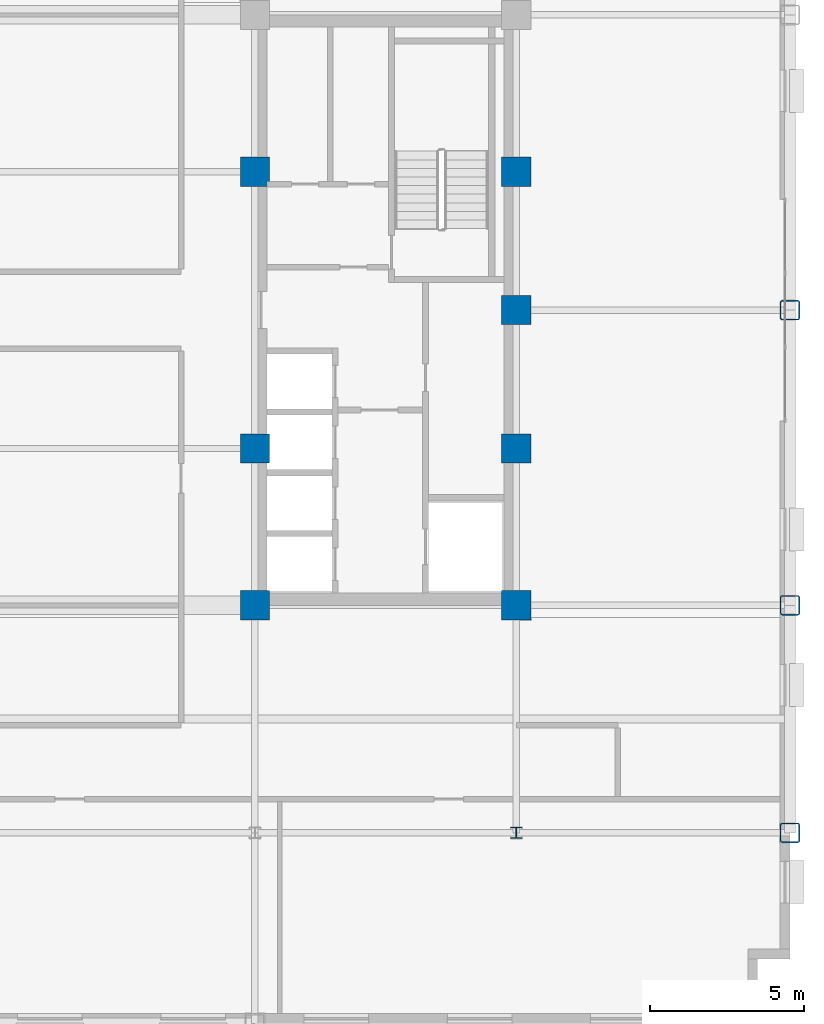
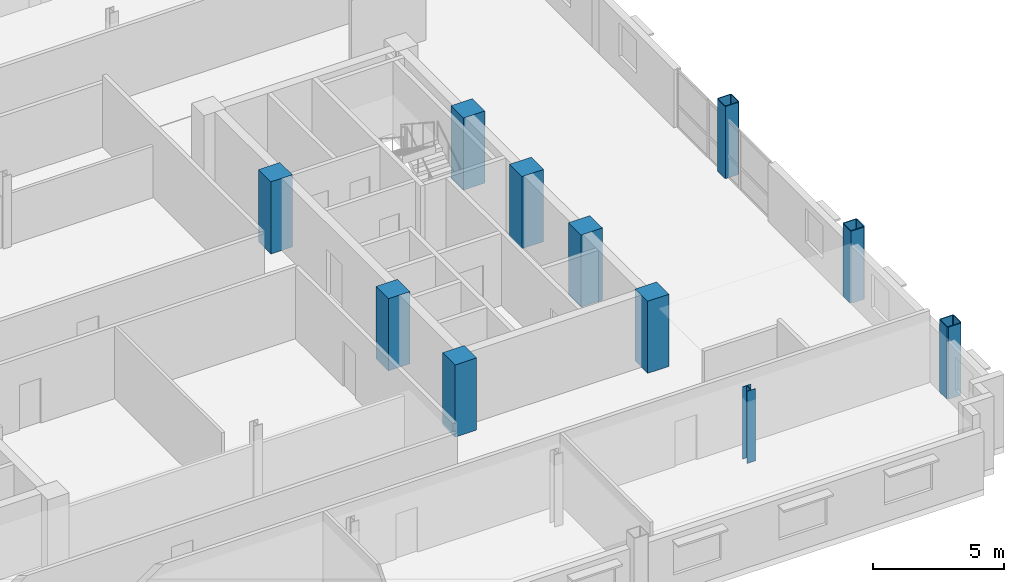
# One storey, part 2 of 15: 11 columns.
"""IFC4 building model written with IfcOpenShell, lengths in metres."""

from ifc_helpers import new_model, si_unit, direction, frame, origin, origin_2d, place, context, subcontext, project, spatial, rectangle, hollow_rectangle, i_section, extrude, material, material_profile, profile_set, type_object, element, save


model = new_model("IFC4")

# Units and contexts
model_context = context("Model", 3, precision=1e-05, world=origin(), true_north=direction((0.0, 1.0)))
body_context = subcontext(model_context, "Body", "Model", "MODEL_VIEW")
ifc_project = project(units=[si_unit("LENGTHUNIT", "METRE"), si_unit("AREAUNIT", "SQUARE_METRE"), si_unit("VOLUMEUNIT", "CUBIC_METRE"), si_unit("PLANEANGLEUNIT", "RADIAN"), si_unit("MASSUNIT", "GRAM", prefix="KILO")], contexts=[model_context])

# Site, building, storey
site_placement = place(None, origin())
site = spatial("IfcSite", under=ifc_project, at=site_placement, CompositionType="ELEMENT")
building_placement = place(site_placement, origin())
building = spatial("IfcBuilding", under=site, at=building_placement, Name="Nuvemarco Arch Tower", CompositionType="ELEMENT")
storey_placement = place(building_placement, frame((0.0, 0.0, 123.85009765625)))
storey = spatial("IfcBuildingStorey", under=building, at=storey_placement, Name="L32", CompositionType="ELEMENT", Elevation=123.85009765625)

# Columns
ifc_material_1 = material(Name="Concrete C50/60", Category="concrete")
ifc_material_profile_1 = material_profile(ifc_material_1, rectangle(XDim=0.949951171875, YDim=0.949951171875, at=origin_2d()), Name="RC-COL-950x950")
ifc_profile_set_1 = profile_set([ifc_material_profile_1], Name="Concrete C50/60")
column_type_1 = type_object("IfcColumnType", Name="COL-CORE-950", PredefinedType="COLUMN", material=ifc_profile_set_1)
for number, where, z_axis, x_axis, name in (
    (1, (9.0, -9.60009765625, 0.0), (0.0, 0.0, 1.0), (1.0, 0.0, 0.0), "L32 column CC_+9.0_-9.6"),
    (2, (9.0, -4.5, 0.0), (0.0, 0.0, 1.0), (1.0, 0.0, 0.0), "L32 column CC_+9.0_-4.5"),
    (3, (9.0, 4.5, 0.0), (0.0, 0.0, 1.0), (1.0, 0.0, 0.0), "L32 column CC_+9.0_+4.5"),
    (4, (17.5, -9.60009765625, 0.0), (0.0, 0.0, 1.0), (1.0, 0.0, 0.0), "L32 column CC_+17.5_-9.6"),
    (5, (17.5, -4.5, 0.0), (0.0, 0.0, 1.0), (1.0, 0.0, 0.0), "L32 column CC_+17.5_-4.5"),
    (6, (17.5, 4.5, 0.0), (0.0, 0.0, 1.0), (1.0, 0.0, 0.0), "L32 column CC_+17.5_+4.5"),
    (7, (17.5, 0.0, 0.0), (0.0, 0.0, 1.0), (1.0, 0.0, 0.0), "L32 column CC_+17.5_+0.0"),
):
    element("IfcColumn", number, at=place(storey_placement, frame(where, z_axis=z_axis, x_axis=x_axis)), inside=storey, type_object=column_type_1, Name=name, PredefinedType="COLUMN", context=body_context, shape_type="SweptSolid", body=[
        extrude(rectangle(XDim=0.949951171875, YDim=0.949951171875, at=origin_2d()), origin(), (0.0, 0.0, 1.0), 3.369873046875),
    ])
ifc_material_2 = material(Name="Steel S355", Category="steel")
ifc_material_profile_2 = material_profile(ifc_material_2, hollow_rectangle(XDim=0.64990234375, YDim=0.64990234375, WallThickness=0.0400390625, InnerFilletRadius=0.0400390625, OuterFilletRadius=0.080078125, at=origin_2d()), Name="SHS650x650x40")
ifc_profile_set_2 = profile_set([ifc_material_profile_2], Name="Steel S355")
column_type_2 = type_object("IfcColumnType", Name="COL-EXO-650", PredefinedType="COLUMN", material=ifc_profile_set_2)
for number, where, z_axis, x_axis, name in (
    (8, (26.39990234375, -17.0, 0.0), (0.0, 0.0, 1.0), (1.0, 0.0, 0.0), "L32 column CX_+26.4_-17.0"),
    (9, (26.39990234375, -9.60009765625, 0.0), (0.0, 0.0, 1.0), (1.0, 0.0, 0.0), "L32 column CX_+26.4_-9.6"),
    (10, (26.39990234375, 0.0, 0.0), (0.0, 0.0, 1.0), (1.0, 0.0, 0.0), "L32 column CX_+26.4_+0.0"),
):
    element("IfcColumn", number, at=place(storey_placement, frame(where, z_axis=z_axis, x_axis=x_axis)), inside=storey, type_object=column_type_2, Name=name, PredefinedType="COLUMN", context=body_context, shape_type="SweptSolid", body=[
        extrude(hollow_rectangle(XDim=0.64990234375, YDim=0.64990234375, WallThickness=0.0400390625, InnerFilletRadius=0.0400390625, OuterFilletRadius=0.080078125, at=origin_2d()), origin(), (0.0, 0.0, 1.0), 3.369873046875),
    ])
ifc_material_profile_3 = material_profile(ifc_material_2, i_section(OverallWidth=0.360107421875, OverallDepth=0.360107421875, WebThickness=0.0205078125, FlangeThickness=0.0205078125, FilletRadius=0.01806640625, at=origin_2d()), Name="HP360x174")
ifc_profile_set_3 = profile_set([ifc_material_profile_3], Name="Steel S355")
column_type_3 = type_object("IfcColumnType", Name="COL-STL-HP360", PredefinedType="COLUMN", material=ifc_profile_set_3)
column_placement = place(storey_placement, frame((17.5, -17.0, 0.0), z_axis=(0.0, 0.0, 1.0), x_axis=(1.0, 0.0, 0.0)))
element("IfcColumn", 11, at=column_placement, inside=storey, type_object=column_type_3, Name="L32 column CI_+17.5_-17.0", PredefinedType="COLUMN", context=body_context, shape_type="SweptSolid", body=[
    extrude(i_section(OverallWidth=0.360107421875, OverallDepth=0.360107421875, WebThickness=0.0205078125, FlangeThickness=0.0205078125, FilletRadius=0.01806640625, at=origin_2d()), origin(), (0.0, 0.0, 1.0), 3.369873046875),
])

save(model, "model.ifc")
